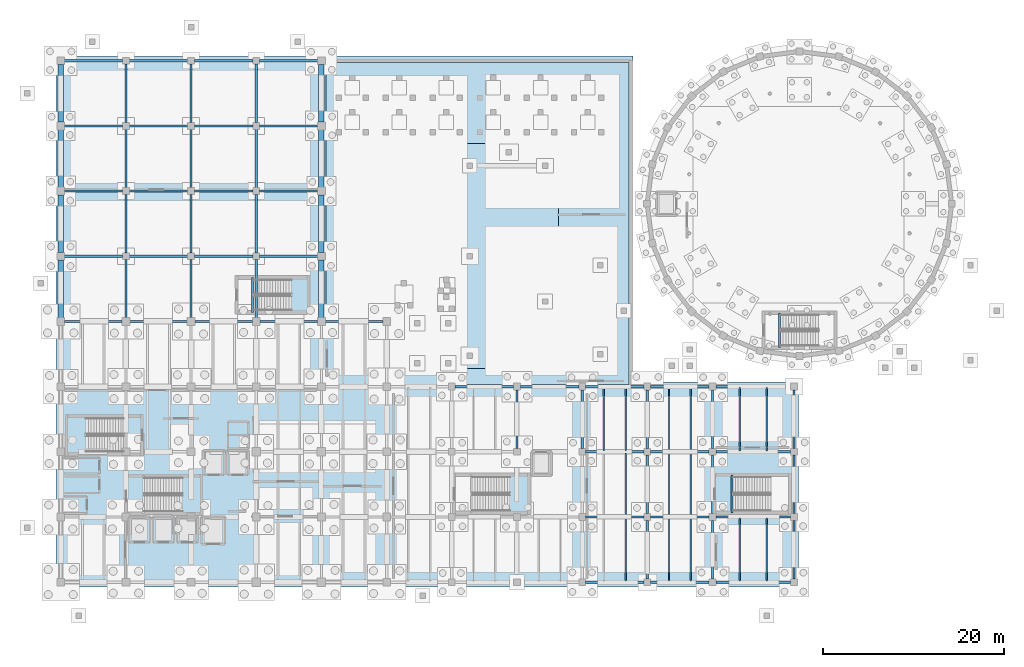
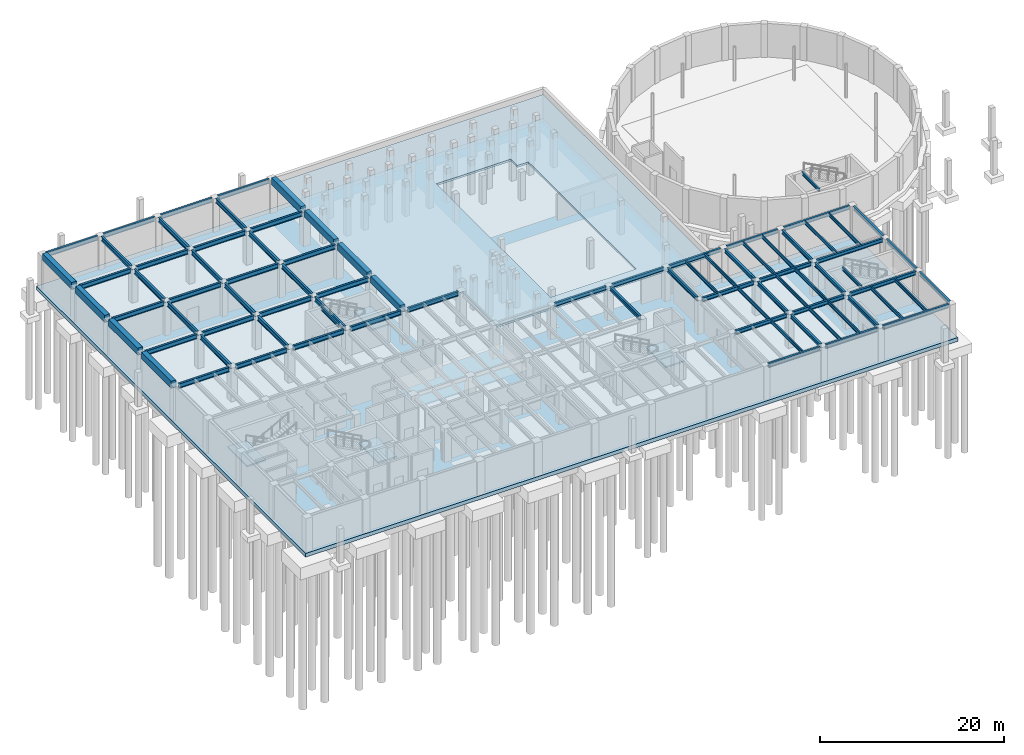
# One storey, part 11 of 26: 83 beams, 6 slabs, 4 elements without a shape of their own.
"""IFC4 building model written with IfcOpenShell, lengths in metres."""

from ifc_helpers import new_model, si_unit, direction, frame, origin, origin_2d, place, context, subcontext, project, spatial, polyline, rectangle, i_section, outline, extrude, material, layer, layer_set, material_profile, profile_set, type_object, element, aggregate, save


model = new_model("IFC4")

# Units and contexts
model_context = context("Model", 3, precision=1e-05, world=origin(), true_north=direction((0.0, 1.0)))
body_context = subcontext(model_context, "Body", "Model", "MODEL_VIEW")
ifc_project = project(units=[si_unit("LENGTHUNIT", "METRE"), si_unit("AREAUNIT", "SQUARE_METRE"), si_unit("VOLUMEUNIT", "CUBIC_METRE"), si_unit("PLANEANGLEUNIT", "RADIAN"), si_unit("MASSUNIT", "GRAM", prefix="KILO")], contexts=[model_context])

# Site, building, storey
site_placement = place(None, origin())
site = spatial("IfcSite", under=ifc_project, at=site_placement, CompositionType="ELEMENT")
building_placement = place(site_placement, origin())
building = spatial("IfcBuilding", under=site, at=building_placement, Name="Kandorven Conservatory and Botanical Research Centre", CompositionType="ELEMENT")
storey_placement = place(building_placement, frame((0.0, 0.0, -4.800048828125)))
storey = spatial("IfcBuildingStorey", under=building, at=storey_placement, Name="B01", CompositionType="ELEMENT", Elevation=-4.800048828125)

# Beams
ifc_material_1 = material(Name="Concrete C40/50 (M50)", Category="concrete")
ifc_material_profile_1 = material_profile(ifc_material_1, rectangle(XDim=0.60009765625, YDim=0.89990234375, at=origin_2d()))
ifc_profile_set_1 = profile_set([ifc_material_profile_1], Name="Concrete C40/50 (M50)")
beam_type_1 = type_object("IfcBeamType", Name="Beam_CG-03", PredefinedType="SPANDREL", material=ifc_profile_set_1)
beam_1_placement = place(storey_placement, frame((6.0, 35.159912109375, 4.35009765625), z_axis=(0.0, 1.0, 0.0), x_axis=(-1.0, 0.0, 0.0)))
element("IfcBeam", 1, at=beam_1_placement, inside=storey, type_object=beam_type_1, Name="Auditorium longitudinal edge beam CG-03 B01", PredefinedType="SPANDREL", context=body_context, shape_type="SweptSolid", body=[
    extrude(rectangle(XDim=0.60009765625, YDim=0.89990234375, at=origin_2d()), origin(), (0.0, 0.0, 1.0), 6.425048828125),
])
beam_2_placement = place(storey_placement, frame((6.0, 42.4150390625, 4.35009765625), z_axis=(0.0, 1.0, 0.0), x_axis=(-1.0, 0.0, 0.0)))
element("IfcBeam", 2, at=beam_2_placement, inside=storey, type_object=beam_type_1, Name="Auditorium longitudinal edge beam CG-03 B01", PredefinedType="SPANDREL", context=body_context, shape_type="SweptSolid", body=[
    extrude(rectangle(XDim=0.60009765625, YDim=0.89990234375, at=origin_2d()), origin(), (0.0, 0.0, 1.0), 6.369873046875),
])
for number, where, z_axis, x_axis, name in (
    (3, (6.0, 49.614990234375, 4.35009765625), (0.0, 1.0, 0.0), (-1.0, 0.0, 0.0), "Auditorium longitudinal edge beam CG-03 B01"),
    (4, (6.0, 56.81494140625, 4.35009765625), (0.0, 1.0, 0.0), (-1.0, 0.0, 0.0), "Auditorium longitudinal edge beam CG-03 B01"),
):
    element("IfcBeam", number, at=place(storey_placement, frame(where, z_axis=z_axis, x_axis=x_axis)), inside=storey, type_object=beam_type_1, Name=name, PredefinedType="SPANDREL", context=body_context, shape_type="SweptSolid", body=[
        extrude(rectangle(XDim=0.60009765625, YDim=0.89990234375, at=origin_2d()), origin(), (0.0, 0.0, 1.0), 6.3701171875),
    ])
beam_3_placement = place(storey_placement, frame((34.800048828125, 35.159912109375, 4.35009765625), z_axis=(0.0, 1.0, 0.0), x_axis=(-1.0, 0.0, 0.0)))
element("IfcBeam", 5, at=beam_3_placement, inside=storey, type_object=beam_type_1, Name="Auditorium longitudinal edge beam CG-03 B01", PredefinedType="SPANDREL", context=body_context, shape_type="SweptSolid", body=[
    extrude(rectangle(XDim=0.60009765625, YDim=0.89990234375, at=origin_2d()), origin(), (0.0, 0.0, 1.0), 6.425048828125),
])
beam_4_placement = place(storey_placement, frame((34.800048828125, 42.4150390625, 4.35009765625), z_axis=(0.0, 1.0, 0.0), x_axis=(-1.0, 0.0, 0.0)))
element("IfcBeam", 6, at=beam_4_placement, inside=storey, type_object=beam_type_1, Name="Auditorium longitudinal edge beam CG-03 B01", PredefinedType="SPANDREL", context=body_context, shape_type="SweptSolid", body=[
    extrude(rectangle(XDim=0.60009765625, YDim=0.89990234375, at=origin_2d()), origin(), (0.0, 0.0, 1.0), 6.369873046875),
])
for number, where, z_axis, x_axis, name in (
    (7, (34.800048828125, 49.614990234375, 4.35009765625), (0.0, 1.0, 0.0), (-1.0, 0.0, 0.0), "Auditorium longitudinal edge beam CG-03 B01"),
    (8, (34.800048828125, 56.81494140625, 4.35009765625), (0.0, 1.0, 0.0), (-1.0, 0.0, 0.0), "Auditorium longitudinal edge beam CG-03 B01"),
):
    element("IfcBeam", number, at=place(storey_placement, frame(where, z_axis=z_axis, x_axis=x_axis)), inside=storey, type_object=beam_type_1, Name=name, PredefinedType="SPANDREL", context=body_context, shape_type="SweptSolid", body=[
        extrude(rectangle(XDim=0.60009765625, YDim=0.89990234375, at=origin_2d()), origin(), (0.0, 0.0, 1.0), 6.3701171875),
    ])
ifc_material_2 = material(Name="Steel S355 (IS 2062 E350)", Category="steel")
ifc_material_profile_2 = material_profile(ifc_material_2, i_section(OverallWidth=0.25, OverallDepth=0.60009765625, WebThickness=0.01171875, FlangeThickness=0.023681640625, at=origin_2d()))
ifc_profile_set_2 = profile_set([ifc_material_profile_2], Name="Steel S355 (IS 2062 E350)")
beam_type_2 = type_object("IfcBeamType", Name="Beam_FG-01", PredefinedType="USERDEFINED", material=ifc_profile_set_2)
beam_5_placement = place(storey_placement, frame((6.4150390625, 34.800048828125, 4.199951171875), z_axis=(1.0, 0.0, 0.0), x_axis=(0.0, 1.0, 0.0)))
element("IfcBeam", 9, at=beam_5_placement, inside=storey, type_object=beam_type_2, Name="Primary girder FG-01 TWR B01", ObjectType="GIRDER", PredefinedType="USERDEFINED", context=body_context, shape_type="SweptSolid", body=[
    extrude(i_section(OverallWidth=0.25, OverallDepth=0.60009765625, WebThickness=0.01171875, FlangeThickness=0.023681640625, at=origin_2d()), origin(), (0.0, 0.0, 1.0), 6.369873046875),
])
for number, where, z_axis, x_axis, name in (
    (10, (13.614990234375, 34.800048828125, 4.199951171875), (1.0, 0.0, 0.0), (0.0, 1.0, 0.0), "Primary girder FG-01 TWR B01"),
    (11, (20.81494140625, 34.800048828125, 4.199951171875), (1.0, 0.0, 0.0), (0.0, 1.0, 0.0), "Primary girder FG-01 TWR B01"),
    (12, (28.014892578125, 34.800048828125, 4.199951171875), (1.0, 0.0, 0.0), (0.0, 1.0, 0.0), "Primary girder FG-01 TWR B01"),
):
    element("IfcBeam", number, at=place(storey_placement, frame(where, z_axis=z_axis, x_axis=x_axis)), inside=storey, type_object=beam_type_2, Name=name, ObjectType="GIRDER", PredefinedType="USERDEFINED", context=body_context, shape_type="SweptSolid", body=[
        extrude(i_section(OverallWidth=0.25, OverallDepth=0.60009765625, WebThickness=0.01171875, FlangeThickness=0.023681640625, at=origin_2d()), origin(), (0.0, 0.0, 1.0), 6.3701171875),
    ])
beam_6_placement = place(storey_placement, frame((35.215087890625, 34.800048828125, 4.199951171875), z_axis=(1.0, 0.0, 0.0), x_axis=(0.0, 1.0, 0.0)))
element("IfcBeam", 13, at=beam_6_placement, inside=storey, type_object=beam_type_2, Name="Primary girder FG-01 TWR B01", ObjectType="GIRDER", PredefinedType="USERDEFINED", context=body_context, shape_type="SweptSolid", body=[
    extrude(i_section(OverallWidth=0.25, OverallDepth=0.60009765625, WebThickness=0.01171875, FlangeThickness=0.023681640625, at=origin_2d()), origin(), (0.0, 0.0, 1.0), 6.369873046875),
])
for number, where, z_axis, x_axis, name in (
    (14, (6.360107421875, 42.0, 4.199951171875), (1.0, 0.0, 0.0), (0.0, 1.0, 0.0), "Auditorium basement primary girder FG-01 B01"),
    (15, (13.56005859375, 42.0, 4.199951171875), (1.0, 0.0, 0.0), (0.0, 1.0, 0.0), "Auditorium basement primary girder FG-01 B01"),
    (16, (20.760009765625, 42.0, 4.199951171875), (1.0, 0.0, 0.0), (0.0, 1.0, 0.0), "Auditorium basement primary girder FG-01 B01"),
    (17, (27.9599609375, 42.0, 4.199951171875), (1.0, 0.0, 0.0), (0.0, 1.0, 0.0), "Auditorium basement primary girder FG-01 B01"),
    (18, (6.360107421875, 49.199951171875, 4.199951171875), (1.0, 0.0, 0.0), (0.0, 1.0, 0.0), "Auditorium basement primary girder FG-01 B01"),
    (19, (13.56005859375, 49.199951171875, 4.199951171875), (1.0, 0.0, 0.0), (0.0, 1.0, 0.0), "Auditorium basement primary girder FG-01 B01"),
    (20, (20.760009765625, 49.199951171875, 4.199951171875), (1.0, 0.0, 0.0), (0.0, 1.0, 0.0), "Auditorium basement primary girder FG-01 B01"),
    (21, (27.9599609375, 49.199951171875, 4.199951171875), (1.0, 0.0, 0.0), (0.0, 1.0, 0.0), "Auditorium basement primary girder FG-01 B01"),
    (22, (6.360107421875, 56.39990234375, 4.199951171875), (1.0, 0.0, 0.0), (0.0, 1.0, 0.0), "Auditorium basement primary girder FG-01 B01"),
    (23, (13.56005859375, 56.39990234375, 4.199951171875), (1.0, 0.0, 0.0), (0.0, 1.0, 0.0), "Auditorium basement primary girder FG-01 B01"),
    (24, (20.760009765625, 56.39990234375, 4.199951171875), (1.0, 0.0, 0.0), (0.0, 1.0, 0.0), "Auditorium basement primary girder FG-01 B01"),
    (25, (27.9599609375, 56.39990234375, 4.199951171875), (1.0, 0.0, 0.0), (0.0, 1.0, 0.0), "Auditorium basement primary girder FG-01 B01"),
    (26, (6.360107421875, 63.60009765625, 4.199951171875), (1.0, 0.0, 0.0), (0.0, 1.0, 0.0), "Auditorium basement primary girder FG-01 B01"),
    (27, (13.56005859375, 63.60009765625, 4.199951171875), (1.0, 0.0, 0.0), (0.0, 1.0, 0.0), "Auditorium basement primary girder FG-01 B01"),
    (28, (20.760009765625, 63.60009765625, 4.199951171875), (1.0, 0.0, 0.0), (0.0, 1.0, 0.0), "Auditorium basement primary girder FG-01 B01"),
    (29, (27.9599609375, 63.60009765625, 4.199951171875), (1.0, 0.0, 0.0), (0.0, 1.0, 0.0), "Auditorium basement primary girder FG-01 B01"),
    (30, (13.199951171875, 35.159912109375, 4.199951171875), (0.0, 1.0, 0.0), (-1.0, 0.0, 0.0), "Auditorium basement longitudinal girder FG-01 B01"),
    (31, (13.199951171875, 42.360107421875, 4.199951171875), (0.0, 1.0, 0.0), (-1.0, 0.0, 0.0), "Auditorium basement longitudinal girder FG-01 B01"),
    (32, (13.199951171875, 49.56005859375, 4.199951171875), (0.0, 1.0, 0.0), (-1.0, 0.0, 0.0), "Auditorium basement longitudinal girder FG-01 B01"),
    (33, (13.199951171875, 56.760009765625, 4.199951171875), (0.0, 1.0, 0.0), (-1.0, 0.0, 0.0), "Auditorium basement longitudinal girder FG-01 B01"),
    (34, (20.39990234375, 35.159912109375, 4.199951171875), (0.0, 1.0, 0.0), (-1.0, 0.0, 0.0), "Auditorium basement longitudinal girder FG-01 B01"),
    (35, (20.39990234375, 42.360107421875, 4.199951171875), (0.0, 1.0, 0.0), (-1.0, 0.0, 0.0), "Auditorium basement longitudinal girder FG-01 B01"),
    (36, (20.39990234375, 49.56005859375, 4.199951171875), (0.0, 1.0, 0.0), (-1.0, 0.0, 0.0), "Auditorium basement longitudinal girder FG-01 B01"),
    (37, (20.39990234375, 56.760009765625, 4.199951171875), (0.0, 1.0, 0.0), (-1.0, 0.0, 0.0), "Auditorium basement longitudinal girder FG-01 B01"),
    (38, (27.60009765625, 35.159912109375, 4.199951171875), (0.0, 1.0, 0.0), (-1.0, 0.0, 0.0), "Auditorium basement longitudinal girder FG-01 B01"),
    (39, (27.60009765625, 42.360107421875, 4.199951171875), (0.0, 1.0, 0.0), (-1.0, 0.0, 0.0), "Auditorium basement longitudinal girder FG-01 B01"),
    (40, (27.60009765625, 49.56005859375, 4.199951171875), (0.0, 1.0, 0.0), (-1.0, 0.0, 0.0), "Auditorium basement longitudinal girder FG-01 B01"),
    (41, (27.60009765625, 56.760009765625, 4.199951171875), (0.0, 1.0, 0.0), (-1.0, 0.0, 0.0), "Auditorium basement longitudinal girder FG-01 B01"),
):
    element("IfcBeam", number, at=place(storey_placement, frame(where, z_axis=z_axis, x_axis=x_axis)), inside=storey, type_object=beam_type_2, Name=name, ObjectType="GIRDER", PredefinedType="USERDEFINED", context=body_context, shape_type="SweptSolid", body=[
        extrude(i_section(OverallWidth=0.25, OverallDepth=0.60009765625, WebThickness=0.01171875, FlangeThickness=0.023681640625, at=origin_2d()), origin(), (0.0, 0.0, 1.0), 6.47998046875),
    ])
ifc_material_3 = material(Name="Steel S355 (IS 2062 E350)", Category="steel")
ifc_material_profile_3 = material_profile(ifc_material_3, i_section(OverallWidth=0.25, OverallDepth=0.5, WebThickness=0.010009765625, FlangeThickness=0.0146484375, at=origin_2d()))
ifc_profile_set_3 = profile_set([ifc_material_profile_3], Name="Steel S355 (IS 2062 E350)")
beam_type_3 = type_object("IfcBeamType", Name="Beam_FG-02", PredefinedType="USERDEFINED", material=ifc_profile_set_3)
for number, where, z_axis, x_axis, name in (
    (42, (63.965087890625, 6.0, 4.25), (1.0, 0.0, 0.0), (0.0, 1.0, 0.0), "Primary girder FG-02 VIS B01"),
    (43, (71.1650390625, 6.0, 4.25), (1.0, 0.0, 0.0), (0.0, 1.0, 0.0), "Primary girder FG-02 VIS B01"),
):
    element("IfcBeam", number, at=place(storey_placement, frame(where, z_axis=z_axis, x_axis=x_axis)), inside=storey, type_object=beam_type_3, Name=name, ObjectType="GIRDER", PredefinedType="USERDEFINED", context=body_context, shape_type="SweptSolid", body=[
        extrude(i_section(OverallWidth=0.25, OverallDepth=0.5, WebThickness=0.010009765625, FlangeThickness=0.0146484375, at=origin_2d()), origin(), (0.0, 0.0, 1.0), 6.469970703125),
    ])
beam_7_placement = place(storey_placement, frame((78.364990234375, 6.0, 4.25), z_axis=(1.0, 0.0, 0.0), x_axis=(0.0, 1.0, 0.0)))
element("IfcBeam", 44, at=beam_7_placement, inside=storey, type_object=beam_type_3, Name="Primary girder FG-02 VIS B01", ObjectType="GIRDER", PredefinedType="USERDEFINED", context=body_context, shape_type="SweptSolid", body=[
    extrude(i_section(OverallWidth=0.25, OverallDepth=0.5, WebThickness=0.010009765625, FlangeThickness=0.0146484375, at=origin_2d()), origin(), (0.0, 0.0, 1.0), 8.27001953125),
])
for number, where, z_axis, x_axis, name in (
    (45, (63.965087890625, 13.199951171875, 4.25), (1.0, 0.0, 0.0), (0.0, 1.0, 0.0), "Primary girder FG-02 VIS B01"),
    (46, (71.1650390625, 13.199951171875, 4.25), (1.0, 0.0, 0.0), (0.0, 1.0, 0.0), "Primary girder FG-02 VIS B01"),
):
    element("IfcBeam", number, at=place(storey_placement, frame(where, z_axis=z_axis, x_axis=x_axis)), inside=storey, type_object=beam_type_3, Name=name, ObjectType="GIRDER", PredefinedType="USERDEFINED", context=body_context, shape_type="SweptSolid", body=[
        extrude(i_section(OverallWidth=0.25, OverallDepth=0.5, WebThickness=0.010009765625, FlangeThickness=0.0146484375, at=origin_2d()), origin(), (0.0, 0.0, 1.0), 6.469970703125),
    ])
beam_8_placement = place(storey_placement, frame((78.364990234375, 13.199951171875, 4.25), z_axis=(1.0, 0.0, 0.0), x_axis=(0.0, 1.0, 0.0)))
element("IfcBeam", 47, at=beam_8_placement, inside=storey, type_object=beam_type_3, Name="Primary girder FG-02 VIS B01", ObjectType="GIRDER", PredefinedType="USERDEFINED", context=body_context, shape_type="SweptSolid", body=[
    extrude(i_section(OverallWidth=0.25, OverallDepth=0.5, WebThickness=0.010009765625, FlangeThickness=0.0146484375, at=origin_2d()), origin(), (0.0, 0.0, 1.0), 8.27001953125),
])
for number, where, z_axis, x_axis, name in (
    (48, (63.965087890625, 20.39990234375, 4.25), (1.0, 0.0, 0.0), (0.0, 1.0, 0.0), "Primary girder FG-02 VIS B01"),
    (49, (71.1650390625, 20.39990234375, 4.25), (1.0, 0.0, 0.0), (0.0, 1.0, 0.0), "Primary girder FG-02 VIS B01"),
):
    element("IfcBeam", number, at=place(storey_placement, frame(where, z_axis=z_axis, x_axis=x_axis)), inside=storey, type_object=beam_type_3, Name=name, ObjectType="GIRDER", PredefinedType="USERDEFINED", context=body_context, shape_type="SweptSolid", body=[
        extrude(i_section(OverallWidth=0.25, OverallDepth=0.5, WebThickness=0.010009765625, FlangeThickness=0.0146484375, at=origin_2d()), origin(), (0.0, 0.0, 1.0), 6.469970703125),
    ])
beam_9_placement = place(storey_placement, frame((78.364990234375, 20.39990234375, 4.25), z_axis=(1.0, 0.0, 0.0), x_axis=(0.0, 1.0, 0.0)))
element("IfcBeam", 50, at=beam_9_placement, inside=storey, type_object=beam_type_3, Name="Primary girder FG-02 VIS B01", ObjectType="GIRDER", PredefinedType="USERDEFINED", context=body_context, shape_type="SweptSolid", body=[
    extrude(i_section(OverallWidth=0.25, OverallDepth=0.5, WebThickness=0.010009765625, FlangeThickness=0.0146484375, at=origin_2d()), origin(), (0.0, 0.0, 1.0), 8.27001953125),
])
beam_10_placement = place(storey_placement, frame((49.56494140625, 27.60009765625, 4.25), z_axis=(1.0, 0.0, 0.0), x_axis=(0.0, 1.0, 0.0)))
element("IfcBeam", 51, at=beam_10_placement, inside=storey, type_object=beam_type_3, Name="Primary girder FG-02 VIS B01", ObjectType="GIRDER", PredefinedType="USERDEFINED", context=body_context, shape_type="SweptSolid", body=[
    extrude(i_section(OverallWidth=0.25, OverallDepth=0.5, WebThickness=0.010009765625, FlangeThickness=0.0146484375, at=origin_2d()), origin(), (0.0, 0.0, 1.0), 6.469970703125),
])
beam_11_placement = place(storey_placement, frame((56.764892578125, 27.60009765625, 4.25), z_axis=(1.0, 0.0, 0.0), x_axis=(0.0, 1.0, 0.0)))
element("IfcBeam", 52, at=beam_11_placement, inside=storey, type_object=beam_type_3, Name="Primary girder FG-02 VIS B01", ObjectType="GIRDER", PredefinedType="USERDEFINED", context=body_context, shape_type="SweptSolid", body=[
    extrude(i_section(OverallWidth=0.25, OverallDepth=0.5, WebThickness=0.010009765625, FlangeThickness=0.0146484375, at=origin_2d()), origin(), (0.0, 0.0, 1.0), 6.47021484375),
])
for number, where, z_axis, x_axis, name in (
    (53, (63.965087890625, 27.60009765625, 4.25), (1.0, 0.0, 0.0), (0.0, 1.0, 0.0), "Primary girder FG-02 VIS B01"),
    (54, (71.1650390625, 27.60009765625, 4.25), (1.0, 0.0, 0.0), (0.0, 1.0, 0.0), "Primary girder FG-02 VIS B01"),
):
    element("IfcBeam", number, at=place(storey_placement, frame(where, z_axis=z_axis, x_axis=x_axis)), inside=storey, type_object=beam_type_3, Name=name, ObjectType="GIRDER", PredefinedType="USERDEFINED", context=body_context, shape_type="SweptSolid", body=[
        extrude(i_section(OverallWidth=0.25, OverallDepth=0.5, WebThickness=0.010009765625, FlangeThickness=0.0146484375, at=origin_2d()), origin(), (0.0, 0.0, 1.0), 6.469970703125),
    ])
beam_12_placement = place(storey_placement, frame((78.364990234375, 27.60009765625, 4.25), z_axis=(1.0, 0.0, 0.0), x_axis=(0.0, 1.0, 0.0)))
element("IfcBeam", 55, at=beam_12_placement, inside=storey, type_object=beam_type_3, Name="Primary girder FG-02 VIS B01", ObjectType="GIRDER", PredefinedType="USERDEFINED", context=body_context, shape_type="SweptSolid", body=[
    extrude(i_section(OverallWidth=0.25, OverallDepth=0.5, WebThickness=0.010009765625, FlangeThickness=0.0146484375, at=origin_2d()), origin(), (0.0, 0.0, 1.0), 8.27001953125),
])
for number, where, z_axis, x_axis, name in (
    (56, (56.39990234375, 20.764892578125, 4.25), (0.0, 1.0, 0.0), (-1.0, 0.0, 0.0), "Primary girder FG-02 VIS B01"),
    (57, (63.60009765625, 20.764892578125, 4.25), (0.0, 1.0, 0.0), (-1.0, 0.0, 0.0), "Primary girder FG-02 VIS B01"),
):
    element("IfcBeam", number, at=place(storey_placement, frame(where, z_axis=z_axis, x_axis=x_axis)), inside=storey, type_object=beam_type_3, Name=name, ObjectType="GIRDER", PredefinedType="USERDEFINED", context=body_context, shape_type="SweptSolid", body=[
        extrude(i_section(OverallWidth=0.25, OverallDepth=0.5, WebThickness=0.010009765625, FlangeThickness=0.0146484375, at=origin_2d()), origin(), (0.0, 0.0, 1.0), 6.47021484375),
    ])
for number, where, z_axis, x_axis, name in (
    (58, (70.800048828125, 6.364990234375, 4.25), (0.0, 1.0, 0.0), (-1.0, 0.0, 0.0), "Primary girder FG-02 VIS B01"),
    (59, (70.800048828125, 13.56494140625, 4.25), (0.0, 1.0, 0.0), (-1.0, 0.0, 0.0), "Primary girder FG-02 VIS B01"),
):
    element("IfcBeam", number, at=place(storey_placement, frame(where, z_axis=z_axis, x_axis=x_axis)), inside=storey, type_object=beam_type_3, Name=name, ObjectType="GIRDER", PredefinedType="USERDEFINED", context=body_context, shape_type="SweptSolid", body=[
        extrude(i_section(OverallWidth=0.25, OverallDepth=0.5, WebThickness=0.010009765625, FlangeThickness=0.0146484375, at=origin_2d()), origin(), (0.0, 0.0, 1.0), 6.469970703125),
    ])
beam_13_placement = place(storey_placement, frame((70.800048828125, 20.764892578125, 4.25), z_axis=(0.0, 1.0, 0.0), x_axis=(-1.0, 0.0, 0.0)))
element("IfcBeam", 60, at=beam_13_placement, inside=storey, type_object=beam_type_3, Name="Primary girder FG-02 VIS B01", ObjectType="GIRDER", PredefinedType="USERDEFINED", context=body_context, shape_type="SweptSolid", body=[
    extrude(i_section(OverallWidth=0.25, OverallDepth=0.5, WebThickness=0.010009765625, FlangeThickness=0.0146484375, at=origin_2d()), origin(), (0.0, 0.0, 1.0), 6.47021484375),
])
for number, where, z_axis, x_axis, name in (
    (61, (78.0, 6.364990234375, 4.25), (0.0, 1.0, 0.0), (-1.0, 0.0, 0.0), "Primary girder FG-02 VIS B01"),
    (62, (78.0, 13.56494140625, 4.25), (0.0, 1.0, 0.0), (-1.0, 0.0, 0.0), "Primary girder FG-02 VIS B01"),
):
    element("IfcBeam", number, at=place(storey_placement, frame(where, z_axis=z_axis, x_axis=x_axis)), inside=storey, type_object=beam_type_3, Name=name, ObjectType="GIRDER", PredefinedType="USERDEFINED", context=body_context, shape_type="SweptSolid", body=[
        extrude(i_section(OverallWidth=0.25, OverallDepth=0.5, WebThickness=0.010009765625, FlangeThickness=0.0146484375, at=origin_2d()), origin(), (0.0, 0.0, 1.0), 6.469970703125),
    ])
beam_14_placement = place(storey_placement, frame((78.0, 20.764892578125, 4.25), z_axis=(0.0, 1.0, 0.0), x_axis=(-1.0, 0.0, 0.0)))
element("IfcBeam", 63, at=beam_14_placement, inside=storey, type_object=beam_type_3, Name="Primary girder FG-02 VIS B01", ObjectType="GIRDER", PredefinedType="USERDEFINED", context=body_context, shape_type="SweptSolid", body=[
    extrude(i_section(OverallWidth=0.25, OverallDepth=0.5, WebThickness=0.010009765625, FlangeThickness=0.0146484375, at=origin_2d()), origin(), (0.0, 0.0, 1.0), 6.47021484375),
])
for number, where, z_axis, x_axis, name in (
    (64, (87.0, 6.364990234375, 4.25), (0.0, 1.0, 0.0), (-1.0, 0.0, 0.0), "Primary girder FG-02 VIS B01"),
    (65, (87.0, 13.56494140625, 4.25), (0.0, 1.0, 0.0), (-1.0, 0.0, 0.0), "Primary girder FG-02 VIS B01"),
):
    element("IfcBeam", number, at=place(storey_placement, frame(where, z_axis=z_axis, x_axis=x_axis)), inside=storey, type_object=beam_type_3, Name=name, ObjectType="GIRDER", PredefinedType="USERDEFINED", context=body_context, shape_type="SweptSolid", body=[
        extrude(i_section(OverallWidth=0.25, OverallDepth=0.5, WebThickness=0.010009765625, FlangeThickness=0.0146484375, at=origin_2d()), origin(), (0.0, 0.0, 1.0), 6.469970703125),
    ])
beam_15_placement = place(storey_placement, frame((87.0, 20.764892578125, 4.25), z_axis=(0.0, 1.0, 0.0), x_axis=(-1.0, 0.0, 0.0)))
element("IfcBeam", 66, at=beam_15_placement, inside=storey, type_object=beam_type_3, Name="Primary girder FG-02 VIS B01", ObjectType="GIRDER", PredefinedType="USERDEFINED", context=body_context, shape_type="SweptSolid", body=[
    extrude(i_section(OverallWidth=0.25, OverallDepth=0.5, WebThickness=0.010009765625, FlangeThickness=0.0146484375, at=origin_2d()), origin(), (0.0, 0.0, 1.0), 6.47021484375),
])
ifc_material_4 = material(Name="Steel S355 (IS 2062 E350)", Category="steel")
ifc_material_profile_4 = material_profile(ifc_material_4, i_section(OverallWidth=0.199951171875, OverallDepth=0.39990234375, WebThickness=0.008544921875, FlangeThickness=0.012939453125, at=origin_2d()))
ifc_profile_set_4 = profile_set([ifc_material_profile_4], Name="Steel S355 (IS 2062 E350)")
beam_type_4 = type_object("IfcBeamType", Name="Beam_FG-03", PredefinedType="USERDEFINED", material=ifc_profile_set_4)
beam_16_placement = place(storey_placement, frame((80.139892578125, 13.64990234375, 4.300048828125), z_axis=(0.0, 1.0, 0.0), x_axis=(-1.0, 0.0, 0.0)))
element("IfcBeam", 67, at=beam_16_placement, inside=storey, type_object=beam_type_4, Name="Stair well top header girder FG-03 ST-V3B B01", ObjectType="GIRDER", PredefinedType="USERDEFINED", context=body_context, shape_type="SweptSolid", body=[
    extrude(i_section(OverallWidth=0.199951171875, OverallDepth=0.39990234375, WebThickness=0.008544921875, FlangeThickness=0.012939453125, at=origin_2d()), origin(), (0.0, 0.0, 1.0), 4.190185546875),
])
beam_17_placement = place(storey_placement, frame((85.39990234375, 31.89990234375, 4.280029296875), z_axis=(0.0, 1.0, 0.0), x_axis=(-1.0, 0.0, 0.0)))
element("IfcBeam", 68, at=beam_17_placement, inside=storey, type_object=beam_type_4, Name="Stair well top header girder FG-03 ST-V1 B01", ObjectType="GIRDER", PredefinedType="USERDEFINED", context=body_context, shape_type="SweptSolid", body=[
    extrude(i_section(OverallWidth=0.199951171875, OverallDepth=0.39990234375, WebThickness=0.008544921875, FlangeThickness=0.012939453125, at=origin_2d()), origin(), (0.0, 0.0, 1.0), 3.85009765625),
])
beam_18_placement = place(storey_placement, frame((27.199951171875, 35.800048828125, 4.300048828125), z_axis=(0.0, 1.0, 0.0), x_axis=(-1.0, 0.0, 0.0)))
element("IfcBeam", 69, at=beam_18_placement, inside=storey, type_object=beam_type_4, Name="Stair well top header girder FG-03 ST-V2 B01", ObjectType="GIRDER", PredefinedType="USERDEFINED", context=body_context, shape_type="SweptSolid", body=[
    extrude(i_section(OverallWidth=0.199951171875, OverallDepth=0.39990234375, WebThickness=0.008544921875, FlangeThickness=0.012939453125, at=origin_2d()), origin(), (0.0, 0.0, 1.0), 3.849853515625),
])
ifc_material_5 = material(Name="Steel S355 (IS 2062 E350)", Category="steel")
ifc_material_profile_5 = material_profile(ifc_material_5, i_section(OverallWidth=0.14990234375, OverallDepth=0.449951171875, WebThickness=0.009521484375, FlangeThickness=0.017333984375, at=origin_2d()))
ifc_profile_set_5 = profile_set([ifc_material_profile_5], Name="Steel S355 (IS 2062 E350)")
beam_type_5 = type_object("IfcBeamType", Name="Beam_SB-04", PredefinedType="BEAM", material=ifc_profile_set_5)
for number, where, z_axis, x_axis, name in (
    (70, (68.39990234375, 6.110107421875, 4.275146484375), (0.0, 1.0, 0.0), (-1.0, 0.0, 0.0), "Composite secondary beam SB-04 VIS B01"),
    (71, (68.39990234375, 13.31005859375, 4.275146484375), (0.0, 1.0, 0.0), (-1.0, 0.0, 0.0), "Composite secondary beam SB-04 VIS B01"),
    (72, (66.0, 20.510009765625, 4.275146484375), (0.0, 1.0, 0.0), (-1.0, 0.0, 0.0), "Composite secondary beam SB-04 VIS B01"),
    (73, (68.39990234375, 20.510009765625, 4.275146484375), (0.0, 1.0, 0.0), (-1.0, 0.0, 0.0), "Composite secondary beam SB-04 VIS B01"),
    (74, (73.199951171875, 6.110107421875, 4.275146484375), (0.0, 1.0, 0.0), (-1.0, 0.0, 0.0), "Composite secondary beam SB-04 VIS B01"),
    (75, (75.60009765625, 6.110107421875, 4.275146484375), (0.0, 1.0, 0.0), (-1.0, 0.0, 0.0), "Composite secondary beam SB-04 VIS B01"),
    (76, (73.199951171875, 13.31005859375, 4.275146484375), (0.0, 1.0, 0.0), (-1.0, 0.0, 0.0), "Composite secondary beam SB-04 VIS B01"),
    (77, (75.60009765625, 13.31005859375, 4.275146484375), (0.0, 1.0, 0.0), (-1.0, 0.0, 0.0), "Composite secondary beam SB-04 VIS B01"),
    (78, (73.199951171875, 20.510009765625, 4.275146484375), (0.0, 1.0, 0.0), (-1.0, 0.0, 0.0), "Composite secondary beam SB-04 VIS B01"),
    (79, (75.60009765625, 20.510009765625, 4.275146484375), (0.0, 1.0, 0.0), (-1.0, 0.0, 0.0), "Composite secondary beam SB-04 VIS B01"),
    (80, (81.0, 6.110107421875, 4.275146484375), (0.0, 1.0, 0.0), (-1.0, 0.0, 0.0), "Composite secondary beam SB-04 VIS B01"),
    (81, (84.0, 6.110107421875, 4.275146484375), (0.0, 1.0, 0.0), (-1.0, 0.0, 0.0), "Composite secondary beam SB-04 VIS B01"),
    (82, (81.0, 20.510009765625, 4.275146484375), (0.0, 1.0, 0.0), (-1.0, 0.0, 0.0), "Composite secondary beam SB-04 VIS B01"),
    (83, (84.0, 20.510009765625, 4.275146484375), (0.0, 1.0, 0.0), (-1.0, 0.0, 0.0), "Composite secondary beam SB-04 VIS B01"),
):
    element("IfcBeam", number, at=place(storey_placement, frame(where, z_axis=z_axis, x_axis=x_axis)), inside=storey, type_object=beam_type_5, Name=name, PredefinedType="BEAM", context=body_context, shape_type="SweptSolid", body=[
        extrude(i_section(OverallWidth=0.14990234375, OverallDepth=0.449951171875, WebThickness=0.009521484375, FlangeThickness=0.017333984375, at=origin_2d()), origin(), (0.0, 0.0, 1.0), 6.97998046875),
    ])

# Slabs
ifc_material_6 = material(Name="Concrete C32/40 (M40)", Category="concrete")
ifc_layer_1 = layer(ifc_material_6, 0.5)
ifc_layer_set_1 = layer_set([ifc_layer_1], Name="Concrete C32/40 (M40)")
slab_type_1 = type_object("IfcSlabType", Name="Slab_BS-02", PredefinedType="BASESLAB", material=ifc_layer_set_1)
slab_1_placement = place(storey_placement, frame((0.0, 0.0, -0.5)))
element("IfcSlab", 84, at=slab_1_placement, inside=storey, type_object=slab_type_1, Name="Basement B01 main reinforced concrete base slab", PredefinedType="BASESLAB", context=body_context, shape_type="SweptSolid", body=[
    extrude(outline(polyline([(5.47998046875, 5.47998046875), (87.52001953125, 5.47998046875), (87.52001953125, 28.1201171875), (69.199951171875, 28.1201171875), (69.199951171875, 64.1201171875), (5.47998046875, 64.1201171875), (5.47998046875, 5.47998046875)])), origin(), (0.0, 0.0, 1.0), 0.5),
])
ifc_material_7 = material(Name="Concrete C32/40 (M40)", Category="concrete")
ifc_layer_2 = layer(ifc_material_7, 0.27490234375)
ifc_layer_set_2 = layer_set([ifc_layer_2], Name="Concrete C32/40 (M40)")
slab_type_2 = type_object("IfcSlabType", Name="Slab_RS-01", PredefinedType="ROOF", material=ifc_layer_set_2)
slab_2_placement = place(storey_placement, frame((0.0, 0.0, 3.5)))
element("IfcSlab", 85, at=slab_2_placement, inside=storey, type_object=slab_type_2, Name="Basement courtyard vault structural roof slab", PredefinedType="ROOF", context=body_context, shape_type="SweptSolid", body=[
    extrude(outline(polyline([(35.320068359375, 35.320068359375), (42.52001953125, 35.320068359375), (42.52001953125, 27.860107421875), (68.780029296875, 27.860107421875), (68.780029296875, 63.3798828125), (35.320068359375, 63.3798828125), (35.320068359375, 35.320068359375)]), holes=[polyline([(50.219970703125, 29.6201171875), (60.97998046875, 29.6201171875), (60.97998046875, 53.080078125), (59.580078125, 53.080078125), (59.580078125, 54.47998046875), (50.219970703125, 54.47998046875), (50.219970703125, 29.6201171875)])]), origin(), (0.0, 0.0, 1.0), 0.275146484375),
])

# Stair, slab
ifc_material_8 = material(Name="Concrete C32/40 (M40)", Category="concrete")
stair_type_1 = type_object("IfcStairType", Name="Stair_1820", PredefinedType="HALF_TURN_STAIR", material=ifc_material_8)
stair_1_placement = place(storey_placement, origin())
stair_1 = element("IfcStair", 86, at=stair_1_placement, inside=storey, type_object=stair_type_1, Name="B01 Tower Fire Stair ST-T1", PredefinedType="HALF_TURN_STAIR")
ifc_material_9 = material(Name="Concrete C32/40 (M40)", Category="concrete")
ifc_layer_3 = layer(ifc_material_9, 0.199951171875)
ifc_layer_set_3 = layer_set([ifc_layer_3], Name="Concrete C32/40 (M40)")
slab_type_3 = type_object("IfcSlabType", Name="StairLanding_200", PredefinedType="LANDING", material=ifc_layer_set_3)
slab_3_placement = place(storey_placement, frame((0.0, 0.0, 2.199951171875)))
slab_3 = element("IfcSlab", 87, at=slab_3_placement, type_object=slab_type_3, Name="ST-T1 landing 1", PredefinedType="LANDING", context=body_context, shape_type="SweptSolid", body=[
    extrude(outline(polyline([(19.259521484375, 13.5400390625), (21.6201171875, 13.5400390625), (21.6201171875, 17.81005859375), (19.259521484375, 17.81005859375), (19.259521484375, 13.5400390625)])), origin(), (0.0, 0.0, 1.0), 0.2001953125),
])
aggregate(stair_1, [slab_3])

stair_2_placement = place(storey_placement, origin())
stair_2 = element("IfcStair", 88, at=stair_2_placement, inside=storey, type_object=stair_type_1, Name="B01 Tower Fire Stair ST-T2", PredefinedType="HALF_TURN_STAIR")
slab_4_placement = place(storey_placement, frame((0.0, 0.0, 2.199951171875)))
slab_4 = element("IfcSlab", 89, at=slab_4_placement, type_object=slab_type_3, Name="ST-T2 landing 1", PredefinedType="LANDING", context=body_context, shape_type="SweptSolid", body=[
    extrude(outline(polyline([(8.9404296875, 24.389892578125), (6.580078125, 24.389892578125), (6.580078125, 20.1201171875), (8.9404296875, 20.1201171875), (8.9404296875, 24.389892578125)])), origin(), (0.0, 0.0, 1.0), 0.2001953125),
])
aggregate(stair_2, [slab_4])

stair_3_placement = place(storey_placement, origin())
stair_3 = element("IfcStair", 90, at=stair_3_placement, inside=storey, type_object=stair_type_1, Name="B01 Visitor Wing Stair ST-V3A", PredefinedType="HALF_TURN_STAIR")
slab_5_placement = place(storey_placement, frame((0.0, 0.0, 2.199951171875)))
slab_5 = element("IfcSlab", 91, at=slab_5_placement, type_object=slab_type_3, Name="ST-V3A landing 1", PredefinedType="LANDING", context=body_context, shape_type="SweptSolid", body=[
    extrude(outline(polyline([(55.45947265625, 13.610107421875), (57.820068359375, 13.610107421875), (57.820068359375, 17.8798828125), (55.45947265625, 17.8798828125), (55.45947265625, 13.610107421875)])), origin(), (0.0, 0.0, 1.0), 0.2001953125),
])
aggregate(stair_3, [slab_5])

ifc_material_10 = material(Name="Concrete C32/40 (M40)", Category="concrete")
stair_type_2 = type_object("IfcStairType", Name="Stair_1650", PredefinedType="HALF_TURN_STAIR", material=ifc_material_10)
stair_4_placement = place(storey_placement, origin())
stair_4 = element("IfcStair", 92, at=stair_4_placement, inside=storey, type_object=stair_type_2, Name="B01 Auditorium Gallery Stair ST-V2", PredefinedType="HALF_TURN_STAIR")
slab_6_placement = place(storey_placement, frame((0.0, 0.0, 2.199951171875)))
slab_6 = element("IfcSlab", 93, at=slab_6_placement, type_object=slab_type_3, Name="ST-V2 landing 1", PredefinedType="LANDING", context=body_context, shape_type="SweptSolid", body=[
    extrude(outline(polyline([(31.319580078125, 35.760009765625), (33.43994140625, 35.760009765625), (33.43994140625, 39.68994140625), (31.319580078125, 39.68994140625), (31.319580078125, 35.760009765625)])), origin(), (0.0, 0.0, 1.0), 0.2001953125),
])
aggregate(stair_4, [slab_6])

save(model, "model.ifc")
